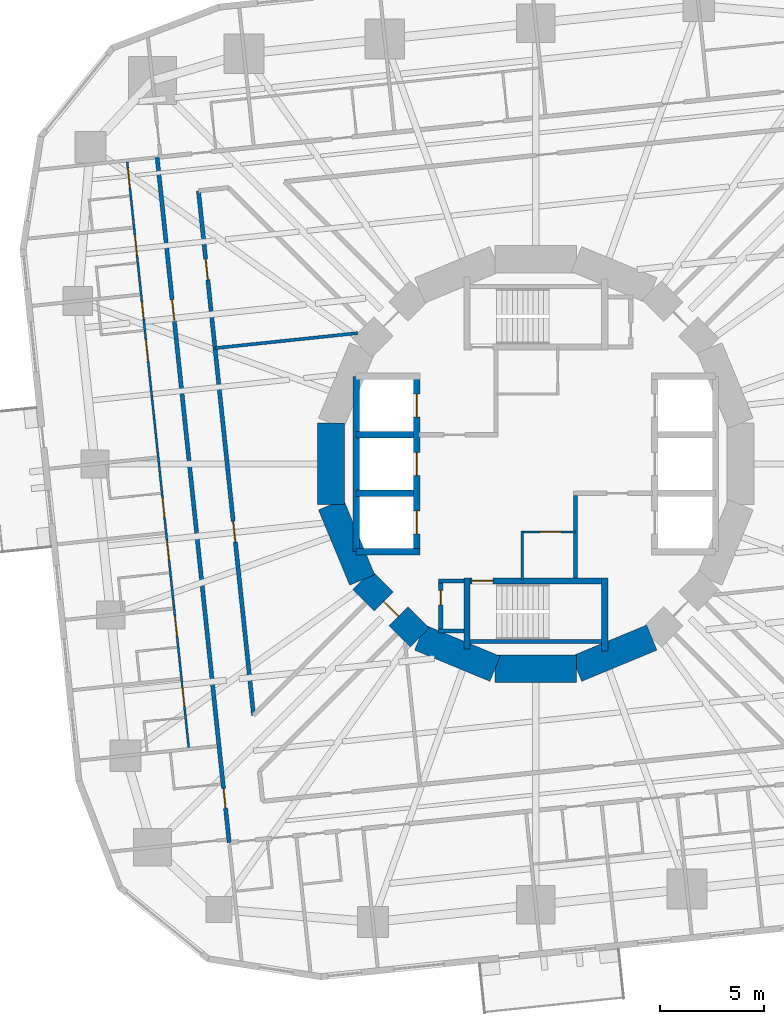
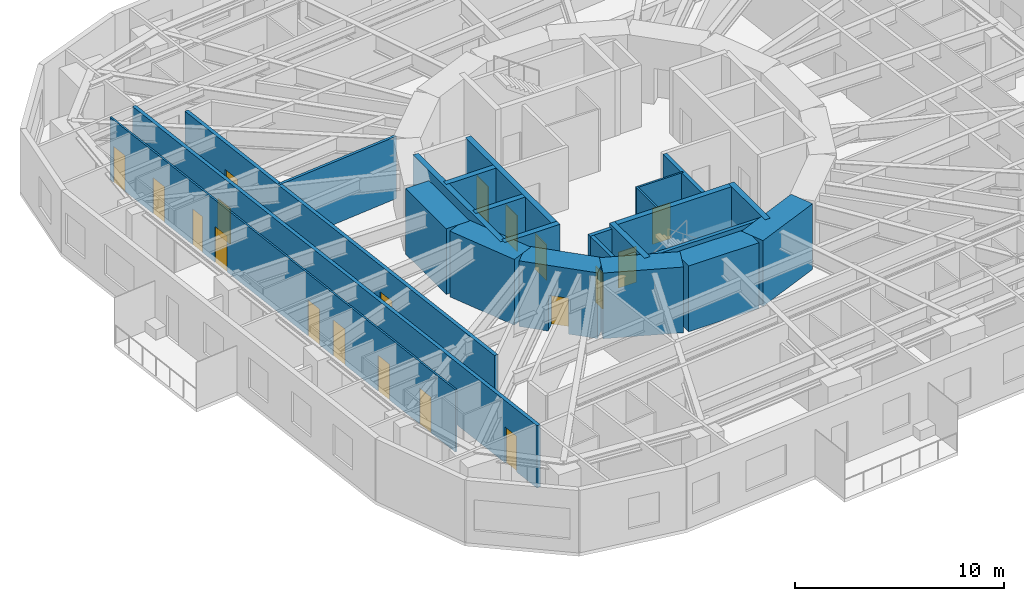
# One storey, part 6 of 13: 25 walls, 19 doors, 19 openings.
"""IFC4 building model written with IfcOpenShell, lengths in metres."""

from ifc_helpers import new_model, si_unit, direction, frame, frame_2d, origin, place, context, subcontext, project, spatial, rectangle, extrude, material, layer, layer_set, type_object, element, fill, save


model = new_model("IFC4")

# Units and contexts
model_context = context("Model", 3, precision=1e-05, world=origin(), true_north=direction((0.0, 1.0)))
body_context = subcontext(model_context, "Body", "Model", "MODEL_VIEW")
ifc_project = project(units=[si_unit("LENGTHUNIT", "METRE"), si_unit("AREAUNIT", "SQUARE_METRE"), si_unit("VOLUMEUNIT", "CUBIC_METRE"), si_unit("PLANEANGLEUNIT", "RADIAN"), si_unit("MASSUNIT", "GRAM", prefix="KILO")], contexts=[model_context])

# Site, building, storey
site_placement = place(None, origin())
site = spatial("IfcSite", under=ifc_project, at=site_placement, CompositionType="ELEMENT")
building_placement = place(site_placement, origin())
building = spatial("IfcBuilding", under=site, at=building_placement, Name="Nakasero Lantern House", CompositionType="ELEMENT")
storey_placement = place(building_placement, frame((0.0, 0.0, 91.300048828125)))
storey = spatial("IfcBuildingStorey", under=building, at=storey_placement, Name="L22", CompositionType="ELEMENT", Elevation=91.300048828125)

# Wall, openings, doors
ifc_material_1 = material(Name="Blockwork", Category="masonry")
ifc_layer_1 = layer(ifc_material_1, 0.10009765625)
ifc_layer_set_1 = layer_set([ifc_layer_1], Name="Cluster hall wall 100")
wall_type_1 = type_object("IfcWallType", Name="Cluster hall wall 100", PredefinedType="PARTITIONING", material=ifc_layer_set_1)
wall_1_placement = place(storey_placement, frame((-19.568603515625, 14.458740234375, 0.0), z_axis=(0.0, 0.0, 1.0), x_axis=(0.10452880444, -0.99452185951, 0.0)))
wall_1 = element("IfcWall", 1, at=wall_1_placement, inside=storey, type_object=wall_type_1, Name="Cluster hall wall L22 HW2-0", PredefinedType="PARTITIONING", context=body_context, shape_type="SweptSolid", body=[
    extrude(rectangle(XDim=28.191162109375, YDim=0.10009765625, at=frame_2d((14.095703125, 0.0))), origin(), (0.0, 0.0, 1.0), 3.64990234375),
])
opening_1_placement = place(wall_1_placement, frame((8.57568359375, 0.0, 0.0)))
opening_1 = element("IfcOpeningElement", 2, at=opening_1_placement, cuts=wall_1, Name="Opening D03", PredefinedType="OPENING", context=body_context, shape_type="SweptSolid", body=[
    extrude(rectangle(XDim=1.0, YDim=2.10009765625, at=frame_2d((0.5, 1.050048828125))), frame((0.0, 0.070068359375, 0.0), z_axis=(0.0, -1.0, 0.0), x_axis=(1.0, 0.0, 0.0)), (0.0, 0.0, 1.0), 0.14013671875),
])
opening_2_placement = place(wall_1_placement, frame((6.75048828125, 0.0, 0.0)))
opening_2 = element("IfcOpeningElement", 3, at=opening_2_placement, cuts=wall_1, Name="Opening D02", PredefinedType="OPENING", context=body_context, shape_type="SweptSolid", body=[
    extrude(rectangle(XDim=0.800048828125, YDim=2.10009765625, at=frame_2d((0.39990234375, 1.050048828125))), frame((0.0, 0.070068359375, 0.0), z_axis=(0.0, -1.0, 0.0), x_axis=(1.0, 0.0, 0.0)), (0.0, 0.0, 1.0), 0.14013671875),
])
opening_3_placement = place(wall_1_placement, frame((0.300048828125, 0.0, 0.0)))
opening_3 = element("IfcOpeningElement", 4, at=opening_3_placement, cuts=wall_1, Name="Opening D01", PredefinedType="OPENING", context=body_context, shape_type="SweptSolid", body=[
    extrude(rectangle(XDim=0.949951171875, YDim=2.10009765625, at=frame_2d((0.47509765625, 1.050048828125))), frame((0.0, 0.070068359375, 0.0), z_axis=(0.0, -1.0, 0.0), x_axis=(1.0, 0.0, 0.0)), (0.0, 0.0, 1.0), 0.14013671875),
])
opening_4_placement = place(wall_1_placement, frame((3.525390625, 0.0, 0.0)))
opening_4 = element("IfcOpeningElement", 5, at=opening_4_placement, cuts=wall_1, Name="Opening D01", PredefinedType="OPENING", context=body_context, shape_type="SweptSolid", body=[
    extrude(rectangle(XDim=0.949951171875, YDim=2.10009765625, at=frame_2d((0.47509765625, 1.050048828125))), frame((0.0, 0.070068359375, 0.0), z_axis=(0.0, -1.0, 0.0), x_axis=(1.0, 0.0, 0.0)), (0.0, 0.0, 1.0), 0.14013671875),
])
opening_5_placement = place(wall_1_placement, frame((16.167724609375, 0.0, 0.0)))
opening_5 = element("IfcOpeningElement", 6, at=opening_5_placement, cuts=wall_1, Name="Opening D01", PredefinedType="OPENING", context=body_context, shape_type="SweptSolid", body=[
    extrude(rectangle(XDim=0.949951171875, YDim=2.10009765625, at=frame_2d((0.47509765625, 1.050048828125))), frame((0.0, 0.070068359375, 0.0), z_axis=(0.0, -1.0, 0.0), x_axis=(1.0, 0.0, 0.0)), (0.0, 0.0, 1.0), 0.14013671875),
])
opening_6_placement = place(wall_1_placement, frame((18.2314453125, 0.0, 0.0)))
opening_6 = element("IfcOpeningElement", 7, at=opening_6_placement, cuts=wall_1, Name="Opening D01", PredefinedType="OPENING", context=body_context, shape_type="SweptSolid", body=[
    extrude(rectangle(XDim=0.949951171875, YDim=2.10009765625, at=frame_2d((0.47509765625, 1.050048828125))), frame((0.0, 0.070068359375, 0.0), z_axis=(0.0, -1.0, 0.0), x_axis=(1.0, 0.0, 0.0)), (0.0, 0.0, 1.0), 0.14013671875),
])
opening_7_placement = place(wall_1_placement, frame((21.8701171875, 0.0, 0.0)))
opening_7 = element("IfcOpeningElement", 8, at=opening_7_placement, cuts=wall_1, Name="Opening D01", PredefinedType="OPENING", context=body_context, shape_type="SweptSolid", body=[
    extrude(rectangle(XDim=0.949951171875, YDim=2.10009765625, at=frame_2d((0.47509765625, 1.050048828125))), frame((0.0, 0.070068359375, 0.0), z_axis=(0.0, -1.0, 0.0), x_axis=(1.0, 0.0, 0.0)), (0.0, 0.0, 1.0), 0.14013671875),
])
opening_8_placement = place(wall_1_placement, frame((25.255615234375, 0.0, 0.0)))
opening_8 = element("IfcOpeningElement", 9, at=opening_8_placement, cuts=wall_1, Name="Opening D01", PredefinedType="OPENING", context=body_context, shape_type="SweptSolid", body=[
    extrude(rectangle(XDim=0.949951171875, YDim=2.10009765625, at=frame_2d((0.47509765625, 1.050048828125))), frame((0.0, 0.070068359375, 0.0), z_axis=(0.0, -1.0, 0.0), x_axis=(1.0, 0.0, 0.0)), (0.0, 0.0, 1.0), 0.14013671875),
])
ifc_material_2 = material(Name="Timber C24", Category="wood")
door_type_1 = type_object("IfcDoorType", Name="Bedroom door FD30S 950", OperationType="SINGLE_SWING_LEFT", PredefinedType="DOOR", material=ifc_material_2)
door_1_placement = place(opening_3_placement, origin())
door_1 = element("IfcDoor", 10, at=door_1_placement, inside=storey, type_object=door_type_1, Name="Door L22 D2-00", OperationType="SINGLE_SWING_LEFT", OverallHeight=2.10009765625, OverallWidth=0.949951171875, PredefinedType="DOOR", context=body_context, shape_type="SweptSolid", body=[
    extrude(rectangle(XDim=0.949951171875, YDim=2.10009765625, at=frame_2d((0.47509765625, 1.050048828125))), frame((0.0, 0.02490234375, 0.0), z_axis=(0.0, -1.0, 0.0), x_axis=(1.0, 0.0, 0.0)), (0.0, 0.0, 1.0), 0.050048828125),
])
fill(opening_3, door_1)
door_2_placement = place(opening_4_placement, origin())
door_2 = element("IfcDoor", 11, at=door_2_placement, inside=storey, type_object=door_type_1, Name="Door L22 D2-01", OperationType="SINGLE_SWING_LEFT", OverallHeight=2.10009765625, OverallWidth=0.949951171875, PredefinedType="DOOR", context=body_context, shape_type="SweptSolid", body=[
    extrude(rectangle(XDim=0.949951171875, YDim=2.10009765625, at=frame_2d((0.47509765625, 1.050048828125))), frame((0.0, 0.02490234375, 0.0), z_axis=(0.0, -1.0, 0.0), x_axis=(1.0, 0.0, 0.0)), (0.0, 0.0, 1.0), 0.050048828125),
])
fill(opening_4, door_2)
door_3_placement = place(opening_5_placement, origin())
door_3 = element("IfcDoor", 12, at=door_3_placement, inside=storey, type_object=door_type_1, Name="Door L22 D2-04", OperationType="SINGLE_SWING_RIGHT", OverallHeight=2.10009765625, OverallWidth=0.949951171875, PredefinedType="DOOR", context=body_context, shape_type="SweptSolid", body=[
    extrude(rectangle(XDim=0.949951171875, YDim=2.10009765625, at=frame_2d((0.47509765625, 1.050048828125))), frame((0.0, 0.02490234375, 0.0), z_axis=(0.0, -1.0, 0.0), x_axis=(1.0, 0.0, 0.0)), (0.0, 0.0, 1.0), 0.050048828125),
])
fill(opening_5, door_3)
door_4_placement = place(opening_6_placement, origin())
door_4 = element("IfcDoor", 13, at=door_4_placement, inside=storey, type_object=door_type_1, Name="Door L22 D2-05", OperationType="SINGLE_SWING_RIGHT", OverallHeight=2.10009765625, OverallWidth=0.949951171875, PredefinedType="DOOR", context=body_context, shape_type="SweptSolid", body=[
    extrude(rectangle(XDim=0.949951171875, YDim=2.10009765625, at=frame_2d((0.47509765625, 1.050048828125))), frame((0.0, 0.02490234375, 0.0), z_axis=(0.0, -1.0, 0.0), x_axis=(1.0, 0.0, 0.0)), (0.0, 0.0, 1.0), 0.050048828125),
])
fill(opening_6, door_4)
door_5_placement = place(opening_7_placement, origin())
door_5 = element("IfcDoor", 14, at=door_5_placement, inside=storey, type_object=door_type_1, Name="Door L22 D2-06", OperationType="SINGLE_SWING_RIGHT", OverallHeight=2.10009765625, OverallWidth=0.949951171875, PredefinedType="DOOR", context=body_context, shape_type="SweptSolid", body=[
    extrude(rectangle(XDim=0.949951171875, YDim=2.10009765625, at=frame_2d((0.47509765625, 1.050048828125))), frame((0.0, 0.02490234375, 0.0), z_axis=(0.0, -1.0, 0.0), x_axis=(1.0, 0.0, 0.0)), (0.0, 0.0, 1.0), 0.050048828125),
])
fill(opening_7, door_5)
door_6_placement = place(opening_8_placement, origin())
door_6 = element("IfcDoor", 15, at=door_6_placement, inside=storey, type_object=door_type_1, Name="Door L22 D2-07", OperationType="SINGLE_SWING_RIGHT", OverallHeight=2.10009765625, OverallWidth=0.949951171875, PredefinedType="DOOR", context=body_context, shape_type="SweptSolid", body=[
    extrude(rectangle(XDim=0.949951171875, YDim=2.10009765625, at=frame_2d((0.47509765625, 1.050048828125))), frame((0.0, 0.02490234375, 0.0), z_axis=(0.0, -1.0, 0.0), x_axis=(1.0, 0.0, 0.0)), (0.0, 0.0, 1.0), 0.050048828125),
])
fill(opening_8, door_6)
ifc_material_3 = material(Name="Timber C24", Category="wood")
door_type_2 = type_object("IfcDoorType", Name="En-suite door 800", OperationType="SINGLE_SWING_RIGHT", PredefinedType="DOOR", material=ifc_material_3)
door_7_placement = place(opening_2_placement, origin())
door_7 = element("IfcDoor", 16, at=door_7_placement, inside=storey, type_object=door_type_2, Name="Door L22 DSH2-0", OperationType="SINGLE_SWING_LEFT", OverallHeight=2.10009765625, OverallWidth=0.800048828125, PredefinedType="DOOR", context=body_context, shape_type="SweptSolid", body=[
    extrude(rectangle(XDim=0.800048828125, YDim=2.10009765625, at=frame_2d((0.39990234375, 1.050048828125))), frame((0.0, 0.02490234375, 0.0), z_axis=(0.0, -1.0, 0.0), x_axis=(1.0, 0.0, 0.0)), (0.0, 0.0, 1.0), 0.050048828125),
])
fill(opening_2, door_7)
ifc_material_4 = material(Name="Timber C24", Category="wood")
door_type_3 = type_object("IfcDoorType", Name="Lounge door FD30S 1000", OperationType="SINGLE_SWING_LEFT", PredefinedType="DOOR", material=ifc_material_4)
door_8_placement = place(opening_1_placement, origin())
door_8 = element("IfcDoor", 17, at=door_8_placement, inside=storey, type_object=door_type_3, Name="Door L22 DH2-0", OperationType="SINGLE_SWING_LEFT", OverallHeight=2.10009765625, OverallWidth=1.0, PredefinedType="DOOR", context=body_context, shape_type="SweptSolid", body=[
    extrude(rectangle(XDim=1.0, YDim=2.10009765625, at=frame_2d((0.5, 1.050048828125))), frame((0.0, 0.02490234375, 0.0), z_axis=(0.0, -1.0, 0.0), x_axis=(1.0, 0.0, 0.0)), (0.0, 0.0, 1.0), 0.050048828125),
])
fill(opening_1, door_8)

ifc_material_5 = material(Name="Concrete C50/60", Category="concrete")
ifc_layer_2 = layer(ifc_material_5, 0.300048828125)
ifc_layer_set_2 = layer_set([ifc_layer_2], Name="Core inner wall 300")
wall_type_2 = type_object("IfcWallType", Name="Core inner wall 300", PredefinedType="SHEAR", material=ifc_layer_set_2)
wall_2_placement = place(storey_placement, frame((-5.699951171875, -4.199951171875, 0.0), z_axis=(0.0, 0.0, 1.0), x_axis=(0.0, 1.0, 0.0)))
wall_2 = element("IfcWall", 18, at=wall_2_placement, inside=storey, type_object=wall_type_2, Name="Core inner wall L22 LW", PredefinedType="SHEAR", context=body_context, shape_type="SweptSolid", body=[
    extrude(rectangle(XDim=8.39990234375, YDim=0.300048828125, at=frame_2d((4.199951171875, 0.0))), origin(), (0.0, 0.0, 1.0), 3.849853515625),
])
opening_9_placement = place(wall_2_placement, frame((0.85009765625, 0.0, 0.0)))
opening_9 = element("IfcOpeningElement", 19, at=opening_9_placement, cuts=wall_2, Name="Opening LD", PredefinedType="OPENING", context=body_context, shape_type="SweptSolid", body=[
    extrude(rectangle(XDim=1.10009765625, YDim=2.10009765625, at=frame_2d((0.550048828125, 1.050048828125))), frame((0.0, 0.169921875, 0.0), z_axis=(0.0, -1.0, 0.0), x_axis=(1.0, 0.0, 0.0)), (0.0, 0.0, 1.0), 0.340087890625),
])
opening_10_placement = place(wall_2_placement, frame((3.64990234375, 0.0, 0.0)))
opening_10 = element("IfcOpeningElement", 20, at=opening_10_placement, cuts=wall_2, Name="Opening LD", PredefinedType="OPENING", context=body_context, shape_type="SweptSolid", body=[
    extrude(rectangle(XDim=1.10009765625, YDim=2.10009765625, at=frame_2d((0.550048828125, 1.050048828125))), frame((0.0, 0.169921875, 0.0), z_axis=(0.0, -1.0, 0.0), x_axis=(1.0, 0.0, 0.0)), (0.0, 0.0, 1.0), 0.340087890625),
])
opening_11_placement = place(wall_2_placement, frame((6.449951171875, 0.0, 0.0)))
opening_11 = element("IfcOpeningElement", 21, at=opening_11_placement, cuts=wall_2, Name="Opening LD", PredefinedType="OPENING", context=body_context, shape_type="SweptSolid", body=[
    extrude(rectangle(XDim=1.10009765625, YDim=2.10009765625, at=frame_2d((0.550048828125, 1.050048828125))), frame((0.0, 0.169921875, 0.0), z_axis=(0.0, -1.0, 0.0), x_axis=(1.0, 0.0, 0.0)), (0.0, 0.0, 1.0), 0.340087890625),
])
ifc_material_6 = material(Name="Steel S355", Category="steel")
door_type_4 = type_object("IfcDoorType", Name="Lift landing door E120 1100", OperationType="SLIDING_TO_LEFT", PredefinedType="DOOR", material=ifc_material_6)
door_9_placement = place(opening_9_placement, origin())
door_9 = element("IfcDoor", 22, at=door_9_placement, inside=storey, type_object=door_type_4, Name="Lift landing door LW1", OperationType="SLIDING_TO_LEFT", OverallHeight=2.10009765625, OverallWidth=1.10009765625, PredefinedType="DOOR", context=body_context, shape_type="SweptSolid", body=[
    extrude(rectangle(XDim=1.10009765625, YDim=2.10009765625, at=frame_2d((0.550048828125, 1.050048828125))), frame((0.0, 0.02490234375, 0.0), z_axis=(0.0, -1.0, 0.0), x_axis=(1.0, 0.0, 0.0)), (0.0, 0.0, 1.0), 0.050048828125),
])
fill(opening_9, door_9)
door_10_placement = place(opening_10_placement, origin())
door_10 = element("IfcDoor", 23, at=door_10_placement, inside=storey, type_object=door_type_4, Name="Lift landing door LW2", OperationType="SLIDING_TO_LEFT", OverallHeight=2.10009765625, OverallWidth=1.10009765625, PredefinedType="DOOR", context=body_context, shape_type="SweptSolid", body=[
    extrude(rectangle(XDim=1.10009765625, YDim=2.10009765625, at=frame_2d((0.550048828125, 1.050048828125))), frame((0.0, 0.02490234375, 0.0), z_axis=(0.0, -1.0, 0.0), x_axis=(1.0, 0.0, 0.0)), (0.0, 0.0, 1.0), 0.050048828125),
])
fill(opening_10, door_10)
door_11_placement = place(opening_11_placement, origin())
door_11 = element("IfcDoor", 24, at=door_11_placement, inside=storey, type_object=door_type_4, Name="Lift landing door LW3", OperationType="SLIDING_TO_LEFT", OverallHeight=2.10009765625, OverallWidth=1.10009765625, PredefinedType="DOOR", context=body_context, shape_type="SweptSolid", body=[
    extrude(rectangle(XDim=1.10009765625, YDim=2.10009765625, at=frame_2d((0.550048828125, 1.050048828125))), frame((0.0, 0.02490234375, 0.0), z_axis=(0.0, -1.0, 0.0), x_axis=(1.0, 0.0, 0.0)), (0.0, 0.0, 1.0), 0.050048828125),
])
fill(opening_11, door_11)

# Walls
wall_3_placement = place(storey_placement, frame((-8.60009765625, -4.199951171875, 0.0), z_axis=(0.0, 0.0, 1.0), x_axis=(1.0, 0.0, 0.0)))
element("IfcWall", 25, at=wall_3_placement, inside=storey, type_object=wall_type_2, Name="Core inner wall L22 LWS", PredefinedType="SHEAR", context=body_context, shape_type="SweptSolid", body=[
    extrude(rectangle(XDim=3.050048828125, YDim=0.300048828125, at=frame_2d((1.52490234375, 0.0))), origin(), (0.0, 0.0, 1.0), 3.849853515625),
])
wall_4_placement = place(storey_placement, frame((-8.60009765625, -4.199951171875, 0.0), z_axis=(0.0, 0.0, 1.0), x_axis=(0.0, 1.0, 0.0)))
element("IfcWall", 26, at=wall_4_placement, inside=storey, type_object=wall_type_2, Name="Core inner wall L22 LWB", PredefinedType="SHEAR", context=body_context, shape_type="SweptSolid", body=[
    extrude(rectangle(XDim=8.39990234375, YDim=0.300048828125, at=frame_2d((4.199951171875, 0.0))), origin(), (0.0, 0.0, 1.0), 3.849853515625),
])
for number, where, z_axis, x_axis, name in (
    (27, (-8.60009765625, -1.39990234375, 0.0), (0.0, 0.0, 1.0), (1.0, 0.0, 0.0), "Core inner wall L22 LW1"),
    (28, (-8.60009765625, 1.39990234375, 0.0), (0.0, 0.0, 1.0), (1.0, 0.0, 0.0), "Core inner wall L22 LW2"),
):
    element("IfcWall", number, at=place(storey_placement, frame(where, z_axis=z_axis, x_axis=x_axis)), inside=storey, type_object=wall_type_2, Name=name, PredefinedType="SHEAR", context=body_context, shape_type="SweptSolid", body=[
        extrude(rectangle(XDim=2.75, YDim=0.300048828125, at=frame_2d((1.375, 0.0))), origin(), (0.0, 0.0, 1.0), 3.849853515625),
    ])

# Wall, opening, door
wall_5_placement = place(storey_placement, frame((-3.449951171875, -5.60009765625, 0.0), z_axis=(0.0, 0.0, 1.0), x_axis=(1.0, 0.0, 0.0)))
wall_5 = element("IfcWall", 29, at=wall_5_placement, inside=storey, type_object=wall_type_2, Name="Core inner wall L22 SS", PredefinedType="SHEAR", context=body_context, shape_type="SweptSolid", body=[
    extrude(rectangle(XDim=6.89990234375, YDim=0.300048828125, at=frame_2d((3.449951171875, 0.0))), origin(), (0.0, 0.0, 1.0), 3.849853515625),
])
opening_12_placement = place(wall_5_placement, frame((0.39990234375, 0.0, 0.0)))
opening_12 = element("IfcOpeningElement", 30, at=opening_12_placement, cuts=wall_5, Name="Opening D05", PredefinedType="OPENING", context=body_context, shape_type="SweptSolid", body=[
    extrude(rectangle(XDim=1.0, YDim=2.10009765625, at=frame_2d((0.5, 1.050048828125))), frame((0.0, 0.169921875, 0.0), z_axis=(0.0, -1.0, 0.0), x_axis=(1.0, 0.0, 0.0)), (0.0, 0.0, 1.0), 0.340087890625),
])
ifc_material_7 = material(Name="Timber C24", Category="wood")
door_type_5 = type_object("IfcDoorType", Name="Core door FD60S 1000", OperationType="SINGLE_SWING_LEFT", PredefinedType="DOOR", material=ifc_material_7)
door_12_placement = place(opening_12_placement, origin())
door_12 = element("IfcDoor", 31, at=door_12_placement, inside=storey, type_object=door_type_5, Name="Door L22 D-ST2", OperationType="SINGLE_SWING_LEFT", OverallHeight=2.10009765625, OverallWidth=1.0, PredefinedType="DOOR", context=body_context, shape_type="SweptSolid", body=[
    extrude(rectangle(XDim=1.0, YDim=2.10009765625, at=frame_2d((0.5, 1.050048828125))), frame((0.0, 0.02490234375, 0.0), z_axis=(0.0, -1.0, 0.0), x_axis=(1.0, 0.0, 0.0)), (0.0, 0.0, 1.0), 0.050048828125),
])
fill(opening_12, door_12)

# Walls
wall_6_placement = place(storey_placement, frame((-3.300048828125, -5.449951171875, 0.0), z_axis=(0.0, 0.0, 1.0), x_axis=(0.0, -1.0, 0.0)))
element("IfcWall", 32, at=wall_6_placement, inside=storey, type_object=wall_type_2, Name="Core inner wall L22 SSW", PredefinedType="SHEAR", context=body_context, shape_type="SweptSolid", body=[
    extrude(rectangle(XDim=3.400146484375, YDim=0.300048828125, at=frame_2d((1.7001953125, 0.0))), origin(), (0.0, 0.0, 1.0), 3.849853515625),
])
wall_7_placement = place(storey_placement, frame((3.300048828125, -5.449951171875, 0.0), z_axis=(0.0, 0.0, 1.0), x_axis=(0.0, -1.0, 0.0)))
element("IfcWall", 33, at=wall_7_placement, inside=storey, type_object=wall_type_2, Name="Core inner wall L22 SSE", PredefinedType="SHEAR", context=body_context, shape_type="SweptSolid", body=[
    extrude(rectangle(XDim=3.5, YDim=0.300048828125, at=frame_2d((1.75, 0.0))), origin(), (0.0, 0.0, 1.0), 3.849853515625),
])

# Wall, opening, door
ifc_material_8 = material(Name="Blockwork", Category="masonry")
ifc_layer_3 = layer(ifc_material_8, 0.10009765625)
ifc_layer_set_3 = layer_set([ifc_layer_3], Name="Core room wall 100")
wall_type_3 = type_object("IfcWallType", Name="Core room wall 100", PredefinedType="PARTITIONING", material=ifc_layer_set_3)
wall_8_placement = place(storey_placement, frame((-0.699951171875, -3.25, 0.0), z_axis=(0.0, 0.0, 1.0), x_axis=(1.0, 0.0, 0.0)))
wall_8 = element("IfcWall", 34, at=wall_8_placement, inside=storey, type_object=wall_type_3, Name="Core room wall L22 CR-SWN", PredefinedType="PARTITIONING", context=body_context, shape_type="SweptSolid", body=[
    extrude(rectangle(XDim=2.599853515625, YDim=0.10009765625, at=frame_2d((1.2998046875, 0.0))), origin(), (0.0, 0.0, 1.0), 3.64990234375),
])
opening_13_placement = place(wall_8_placement, frame((0.89990234375, 0.0, 0.0)))
opening_13 = element("IfcOpeningElement", 35, at=opening_13_placement, cuts=wall_8, Name="Opening D07", PredefinedType="OPENING", context=body_context, shape_type="SweptSolid", body=[
    extrude(rectangle(XDim=1.0, YDim=2.10009765625, at=frame_2d((0.5, 1.050048828125))), frame((0.0, 0.070068359375, 0.0), z_axis=(0.0, -1.0, 0.0), x_axis=(1.0, 0.0, 0.0)), (0.0, 0.0, 1.0), 0.14013671875),
])
ifc_material_9 = material(Name="Timber C24", Category="wood")
door_type_6 = type_object("IfcDoorType", Name="Room door FD30S 1000", OperationType="SINGLE_SWING_LEFT", PredefinedType="DOOR", material=ifc_material_9)
door_13_placement = place(opening_13_placement, origin())
door_13 = element("IfcDoor", 36, at=door_13_placement, inside=storey, type_object=door_type_6, Name="Door L22 D-CR-SW", OperationType="SINGLE_SWING_RIGHT", OverallHeight=2.10009765625, OverallWidth=1.0, PredefinedType="DOOR", context=body_context, shape_type="SweptSolid", body=[
    extrude(rectangle(XDim=1.0, YDim=2.10009765625, at=frame_2d((0.5, 1.050048828125))), frame((0.0, 0.02490234375, 0.0), z_axis=(0.0, -1.0, 0.0), x_axis=(1.0, 0.0, 0.0)), (0.0, 0.0, 1.0), 0.050048828125),
])
fill(opening_13, door_13)

# Walls
wall_9_placement = place(storey_placement, frame((-0.64990234375, -5.550048828125, 0.0), z_axis=(0.0, 0.0, 1.0), x_axis=(0.0, 1.0, 0.0)))
element("IfcWall", 37, at=wall_9_placement, inside=storey, type_object=wall_type_3, Name="Core room wall L22 CR-SWW", PredefinedType="PARTITIONING", context=body_context, shape_type="SweptSolid", body=[
    extrude(rectangle(XDim=2.35009765625, YDim=0.10009765625, at=frame_2d((1.175048828125, 0.0))), origin(), (0.0, 0.0, 1.0), 3.64990234375),
])
ifc_material_10 = material(Name="Concrete C50/60", Category="concrete")
ifc_layer_4 = layer(ifc_material_10, 1.300048828125)
ifc_layer_set_4 = layer_set([ifc_layer_4], Name="Core wall 1300")
wall_type_4 = type_object("IfcWallType", Name="Core wall 1300", PredefinedType="SHEAR", material=ifc_layer_set_4)
for number, where, z_axis, x_axis, name in (
    (38, (-9.807861328125, 1.950927734375, 0.0), (0.0, 0.0, 1.0), (0.0, -1.0, 0.0), "Core wall L22 facet 8"),
    (39, (-9.807861328125, -1.950927734375, 0.0), (0.0, 0.0, 1.0), (0.382690736062, -0.923876507187, 0.0), "Core wall L22 facet 9"),
):
    element("IfcWall", number, at=place(storey_placement, frame(where, z_axis=z_axis, x_axis=x_axis)), inside=storey, type_object=wall_type_4, Name=name, PredefinedType="SHEAR", context=body_context, shape_type="SweptSolid", body=[
        extrude(rectangle(XDim=3.90185546875, YDim=1.300048828125, at=frame_2d((1.950927734375, 0.0))), origin(), (0.0, 0.0, 1.0), 3.849853515625),
    ])

# Wall, opening, door
wall_10_placement = place(storey_placement, frame((-8.314697265625, -5.5556640625, 0.0), z_axis=(0.0, 0.0, 1.0), x_axis=(0.707106781187, -0.707106781187, 0.0)))
wall_10 = element("IfcWall", 40, at=wall_10_placement, inside=storey, type_object=wall_type_4, Name="Core wall L22 facet 10", PredefinedType="SHEAR", context=body_context, shape_type="SweptSolid", body=[
    extrude(rectangle(XDim=3.90185546875, YDim=1.300048828125, at=frame_2d((1.950927734375, 0.0))), origin(), (0.0, 0.0, 1.0), 3.849853515625),
])
opening_14_placement = place(wall_10_placement, frame((1.450927734375, 0.0, 0.0)))
opening_14 = element("IfcOpeningElement", 41, at=opening_14_placement, cuts=wall_10, Name="Opening D05", PredefinedType="OPENING", context=body_context, shape_type="SweptSolid", body=[
    extrude(rectangle(XDim=1.0, YDim=2.10009765625, at=frame_2d((0.5, 1.050048828125))), frame((0.0, 0.669921875, 0.0), z_axis=(0.0, -1.0, 0.0), x_axis=(1.0, 0.0, 0.0)), (0.0, 0.0, 1.0), 1.340087890625),
])
door_14_placement = place(opening_14_placement, origin())
door_14 = element("IfcDoor", 42, at=door_14_placement, inside=storey, type_object=door_type_5, Name="Door L22 D-CORE10", OperationType="SINGLE_SWING_LEFT", OverallHeight=2.10009765625, OverallWidth=1.0, PredefinedType="DOOR", context=body_context, shape_type="SweptSolid", body=[
    extrude(rectangle(XDim=1.0, YDim=2.10009765625, at=frame_2d((0.5, 1.050048828125))), frame((0.0, 0.02490234375, 0.0), z_axis=(0.0, -1.0, 0.0), x_axis=(1.0, 0.0, 0.0)), (0.0, 0.0, 1.0), 0.050048828125),
])
fill(opening_14, door_14)

# Walls
for number, where, z_axis, x_axis, name in (
    (43, (-5.5556640625, -8.314697265625, 0.0), (0.0, 0.0, 1.0), (0.923876507187, -0.382690736062, 0.0), "Core wall L22 facet 11"),
    (44, (-1.950927734375, -9.807861328125, 0.0), (0.0, 0.0, 1.0), (1.0, 0.0, 0.0), "Core wall L22 facet 12"),
    (45, (1.950927734375, -9.807861328125, 0.0), (0.0, 0.0, 1.0), (0.923876507187, 0.382690736062, 0.0), "Core wall L22 facet 13"),
):
    element("IfcWall", number, at=place(storey_placement, frame(where, z_axis=z_axis, x_axis=x_axis)), inside=storey, type_object=wall_type_4, Name=name, PredefinedType="SHEAR", context=body_context, shape_type="SweptSolid", body=[
        extrude(rectangle(XDim=3.90185546875, YDim=1.300048828125, at=frame_2d((1.950927734375, 0.0))), origin(), (0.0, 0.0, 1.0), 3.849853515625),
    ])

# Wall, openings, doors
ifc_material_11 = material(Name="Blockwork", Category="masonry")
ifc_layer_5 = layer(ifc_material_11, 0.199951171875)
ifc_layer_set_5 = layer_set([ifc_layer_5], Name="Corridor wall 200")
wall_type_5 = type_object("IfcWallType", Name="Corridor wall 200", PredefinedType="PARTITIONING", material=ifc_layer_set_5)
wall_11_placement = place(storey_placement, frame((-18.13427734375, 14.684814453125, 0.0), z_axis=(0.0, 0.0, 1.0), x_axis=(0.10452958258, -0.994521777723, 0.0)))
wall_11 = element("IfcWall", 46, at=wall_11_placement, inside=storey, type_object=wall_type_5, Name="Corridor wall L22 CW2", PredefinedType="PARTITIONING", context=body_context, shape_type="SweptSolid", body=[
    extrude(rectangle(XDim=32.999755859375, YDim=0.199951171875, at=frame_2d((16.5, 0.0))), origin(), (0.0, 0.0, 1.0), 3.64990234375),
])
opening_15_placement = place(wall_11_placement, frame((6.8505859375, 0.0, 0.0)))
opening_15 = element("IfcOpeningElement", 47, at=opening_15_placement, cuts=wall_11, Name="Opening D14", PredefinedType="OPENING", context=body_context, shape_type="SweptSolid", body=[
    extrude(rectangle(XDim=1.0, YDim=2.10009765625, at=frame_2d((0.5, 1.050048828125))), frame((0.0, 0.119873046875, 0.0), z_axis=(0.0, -1.0, 0.0), x_axis=(1.0, 0.0, 0.0)), (0.0, 0.0, 1.0), 0.239990234375),
])
opening_16_placement = place(wall_11_placement, frame((30.39111328125, 0.0, 0.0)))
opening_16 = element("IfcOpeningElement", 48, at=opening_16_placement, cuts=wall_11, Name="Opening D01", PredefinedType="OPENING", context=body_context, shape_type="SweptSolid", body=[
    extrude(rectangle(XDim=0.949951171875, YDim=2.10009765625, at=frame_2d((0.47509765625, 1.050048828125))), frame((0.0, 0.119873046875, 0.0), z_axis=(0.0, -1.0, 0.0), x_axis=(1.0, 0.0, 0.0)), (0.0, 0.0, 1.0), 0.239990234375),
])
door_15_placement = place(opening_16_placement, origin())
door_15 = element("IfcDoor", 49, at=door_15_placement, inside=storey, type_object=door_type_1, Name="Door L22 D2-08", OperationType="SINGLE_SWING_RIGHT", OverallHeight=2.10009765625, OverallWidth=0.949951171875, PredefinedType="DOOR", context=body_context, shape_type="SweptSolid", body=[
    extrude(rectangle(XDim=0.949951171875, YDim=2.10009765625, at=frame_2d((0.47509765625, 1.050048828125))), frame((0.0, 0.02490234375, 0.0), z_axis=(0.0, -1.0, 0.0), x_axis=(1.0, 0.0, 0.0)), (0.0, 0.0, 1.0), 0.050048828125),
])
fill(opening_16, door_15)
ifc_material_12 = material(Name="Timber C24", Category="wood")
door_type_7 = type_object("IfcDoorType", Name="Cluster entrance door FD30S 1000", OperationType="SINGLE_SWING_LEFT", PredefinedType="DOOR", material=ifc_material_12)
door_16_placement = place(opening_15_placement, origin())
door_16 = element("IfcDoor", 50, at=door_16_placement, inside=storey, type_object=door_type_7, Name="Door L22 DF2-0", OperationType="SINGLE_SWING_LEFT", OverallHeight=2.10009765625, OverallWidth=1.0, PredefinedType="DOOR", context=body_context, shape_type="SweptSolid", body=[
    extrude(rectangle(XDim=1.0, YDim=2.10009765625, at=frame_2d((0.5, 1.050048828125))), frame((0.0, 0.02490234375, 0.0), z_axis=(0.0, -1.0, 0.0), x_axis=(1.0, 0.0, 0.0)), (0.0, 0.0, 1.0), 0.050048828125),
])
fill(opening_15, door_16)

wall_12_placement = place(storey_placement, frame((-16.156005859375, 13.0830078125, 0.0), z_axis=(0.0, 0.0, 1.0), x_axis=(0.104528773298, -0.994521862783, 0.0)))
wall_12 = element("IfcWall", 51, at=wall_12_placement, inside=storey, type_object=wall_type_5, Name="Corridor wall L22 IW2-0", PredefinedType="PARTITIONING", context=body_context, shape_type="SweptSolid", body=[
    extrude(rectangle(XDim=25.2529296875, YDim=0.199951171875, at=frame_2d((12.62646484375, 0.0))), origin(), (0.0, 0.0, 1.0), 3.64990234375),
])
opening_17_placement = place(wall_12_placement, frame((3.287841796875, 0.0, 0.0)))
opening_17 = element("IfcOpeningElement", 52, at=opening_17_placement, cuts=wall_12, Name="Opening D07", PredefinedType="OPENING", context=body_context, shape_type="SweptSolid", body=[
    extrude(rectangle(XDim=1.0, YDim=2.10009765625, at=frame_2d((0.5, 1.050048828125))), frame((0.0, 0.119873046875, 0.0), z_axis=(0.0, -1.0, 0.0), x_axis=(1.0, 0.0, 0.0)), (0.0, 0.0, 1.0), 0.239990234375),
])
opening_18_placement = place(wall_12_placement, frame((15.914306640625, 0.0, 0.0)))
opening_18 = element("IfcOpeningElement", 53, at=opening_18_placement, cuts=wall_12, Name="Opening D07", PredefinedType="OPENING", context=body_context, shape_type="SweptSolid", body=[
    extrude(rectangle(XDim=1.0, YDim=2.10009765625, at=frame_2d((0.5, 1.050048828125))), frame((0.0, 0.119873046875, 0.0), z_axis=(0.0, -1.0, 0.0), x_axis=(1.0, 0.0, 0.0)), (0.0, 0.0, 1.0), 0.239990234375),
])
door_17_placement = place(opening_17_placement, origin())
door_17 = element("IfcDoor", 54, at=door_17_placement, inside=storey, type_object=door_type_6, Name="Door L22 DI2", OperationType="SINGLE_SWING_LEFT", OverallHeight=2.10009765625, OverallWidth=1.0, PredefinedType="DOOR", context=body_context, shape_type="SweptSolid", body=[
    extrude(rectangle(XDim=1.0, YDim=2.10009765625, at=frame_2d((0.5, 1.050048828125))), frame((0.0, 0.02490234375, 0.0), z_axis=(0.0, -1.0, 0.0), x_axis=(1.0, 0.0, 0.0)), (0.0, 0.0, 1.0), 0.050048828125),
])
fill(opening_17, door_17)
door_18_placement = place(opening_18_placement, origin())
door_18 = element("IfcDoor", 55, at=door_18_placement, inside=storey, type_object=door_type_6, Name="Door L22 DI2S", OperationType="SINGLE_SWING_RIGHT", OverallHeight=2.10009765625, OverallWidth=1.0, PredefinedType="DOOR", context=body_context, shape_type="SweptSolid", body=[
    extrude(rectangle(XDim=1.0, YDim=2.10009765625, at=frame_2d((0.5, 1.050048828125))), frame((0.0, 0.02490234375, 0.0), z_axis=(0.0, -1.0, 0.0), x_axis=(1.0, 0.0, 0.0)), (0.0, 0.0, 1.0), 0.050048828125),
])
fill(opening_18, door_18)

# Wall
ifc_material_13 = material(Name="Blockwork", Category="masonry")
ifc_layer_6 = layer(ifc_material_13, 0.199951171875)
ifc_layer_set_6 = layer_set([ifc_layer_6], Name="Fire lobby wall 200")
wall_type_6 = type_object("IfcWallType", Name="Fire lobby wall 200", PredefinedType="PARTITIONING", material=ifc_layer_set_6)
wall_13_placement = place(storey_placement, frame((1.89990234375, -1.5, 0.0), z_axis=(0.0, 0.0, 1.0), x_axis=(0.0, -1.0, 0.0)))
element("IfcWall", 56, at=wall_13_placement, inside=storey, type_object=wall_type_6, Name="Fire lobby wall L22 W-FL2W", PredefinedType="PARTITIONING", context=body_context, shape_type="SweptSolid", body=[
    extrude(rectangle(XDim=3.949951171875, YDim=0.199951171875, at=frame_2d((1.97509765625, 0.0))), origin(), (0.0, 0.0, 1.0), 3.64990234375),
])

# Wall, opening, door
wall_14_placement = place(storey_placement, frame((-4.550048828125, -5.60009765625, 0.0), z_axis=(0.0, 0.0, 1.0), x_axis=(0.0, -1.0, 0.0)))
wall_14 = element("IfcWall", 57, at=wall_14_placement, inside=storey, type_object=wall_type_6, Name="Fire lobby wall L22 W-RS2W", PredefinedType="PARTITIONING", context=body_context, shape_type="SweptSolid", body=[
    extrude(rectangle(XDim=2.39990234375, YDim=0.199951171875, at=frame_2d((1.199951171875, 0.0))), origin(), (0.0, 0.0, 1.0), 3.64990234375),
])
opening_19_placement = place(wall_14_placement, frame((0.449951171875, 0.0, 0.0)))
opening_19 = element("IfcOpeningElement", 58, at=opening_19_placement, cuts=wall_14, Name="Opening D06", PredefinedType="OPENING", context=body_context, shape_type="SweptSolid", body=[
    extrude(rectangle(XDim=0.699951171875, YDim=2.10009765625, at=frame_2d((0.35009765625, 1.050048828125))), frame((0.0, 0.119873046875, 0.0), z_axis=(0.0, -1.0, 0.0), x_axis=(1.0, 0.0, 0.0)), (0.0, 0.0, 1.0), 0.239990234375),
])
ifc_material_14 = material(Name="Steel S355", Category="steel")
door_type_8 = type_object("IfcDoorType", Name="Riser door FD60 700", OperationType="SINGLE_SWING_LEFT", PredefinedType="DOOR", material=ifc_material_14)
door_19_placement = place(opening_19_placement, origin())
door_19 = element("IfcDoor", 59, at=door_19_placement, inside=storey, type_object=door_type_8, Name="Door L22 D-RS2", OperationType="SINGLE_SWING_LEFT", OverallHeight=2.10009765625, OverallWidth=0.699951171875, PredefinedType="DOOR", context=body_context, shape_type="SweptSolid", body=[
    extrude(rectangle(XDim=0.699951171875, YDim=2.10009765625, at=frame_2d((0.35009765625, 1.050048828125))), frame((0.0, 0.02490234375, 0.0), z_axis=(0.0, -1.0, 0.0), x_axis=(1.0, 0.0, 0.0)), (0.0, 0.0, 1.0), 0.050048828125),
])
fill(opening_19, door_19)

# Walls
for number, where, z_axis, x_axis, name in (
    (60, (-3.449951171875, -8.0, 0.0), (0.0, 0.0, 1.0), (-1.0, 0.0, 0.0), "Fire lobby wall L22 W-RS2S"),
    (61, (-3.449951171875, -5.60009765625, 0.0), (0.0, 0.0, 1.0), (-1.0, 0.0, 0.0), "Fire lobby wall L22 W-RS2N"),
):
    element("IfcWall", number, at=place(storey_placement, frame(where, z_axis=z_axis, x_axis=x_axis)), inside=storey, type_object=wall_type_6, Name=name, PredefinedType="PARTITIONING", context=body_context, shape_type="SweptSolid", body=[
        extrude(rectangle(XDim=1.199951171875, YDim=0.199951171875, at=frame_2d((0.60009765625, 0.0))), origin(), (0.0, 0.0, 1.0), 3.64990234375),
    ])
wall_15_placement = place(storey_placement, frame((-3.300048828125, -8.5, 0.0), z_axis=(0.0, 0.0, 1.0), x_axis=(1.0, 0.0, 0.0)))
element("IfcWall", 62, at=wall_15_placement, inside=storey, type_object=wall_type_6, Name="Fire lobby wall L22 W-STS", PredefinedType="PARTITIONING", context=body_context, shape_type="SweptSolid", body=[
    extrude(rectangle(XDim=6.60009765625, YDim=0.199951171875, at=frame_2d((3.300048828125, 0.0))), origin(), (0.0, 0.0, 1.0), 3.64990234375),
])
ifc_material_15 = material(Name="Blockwork", Category="masonry")
ifc_layer_7 = layer(ifc_material_15, 0.14990234375)
ifc_layer_set_7 = layer_set([ifc_layer_7], Name="Party wall 150")
wall_type_7 = type_object("IfcWallType", Name="Party wall 150", PredefinedType="PARTITIONING", material=ifc_layer_set_7)
wall_16_placement = place(storey_placement, frame((-8.52197265625, 6.267822265625, 0.0), z_axis=(0.0, 0.0, 1.0), x_axis=(-0.994520608951, -0.10454070199, 0.0)))
element("IfcWall", 63, at=wall_16_placement, inside=storey, type_object=wall_type_7, Name="Party wall L22 IS2", PredefinedType="PARTITIONING", context=body_context, shape_type="SweptSolid", body=[
    extrude(rectangle(XDim=6.8798828125, YDim=0.14990234375, at=frame_2d((3.43994140625, 0.0))), origin(), (0.0, 0.0, 1.0), 3.64990234375),
])

save(model, "model.ifc")
